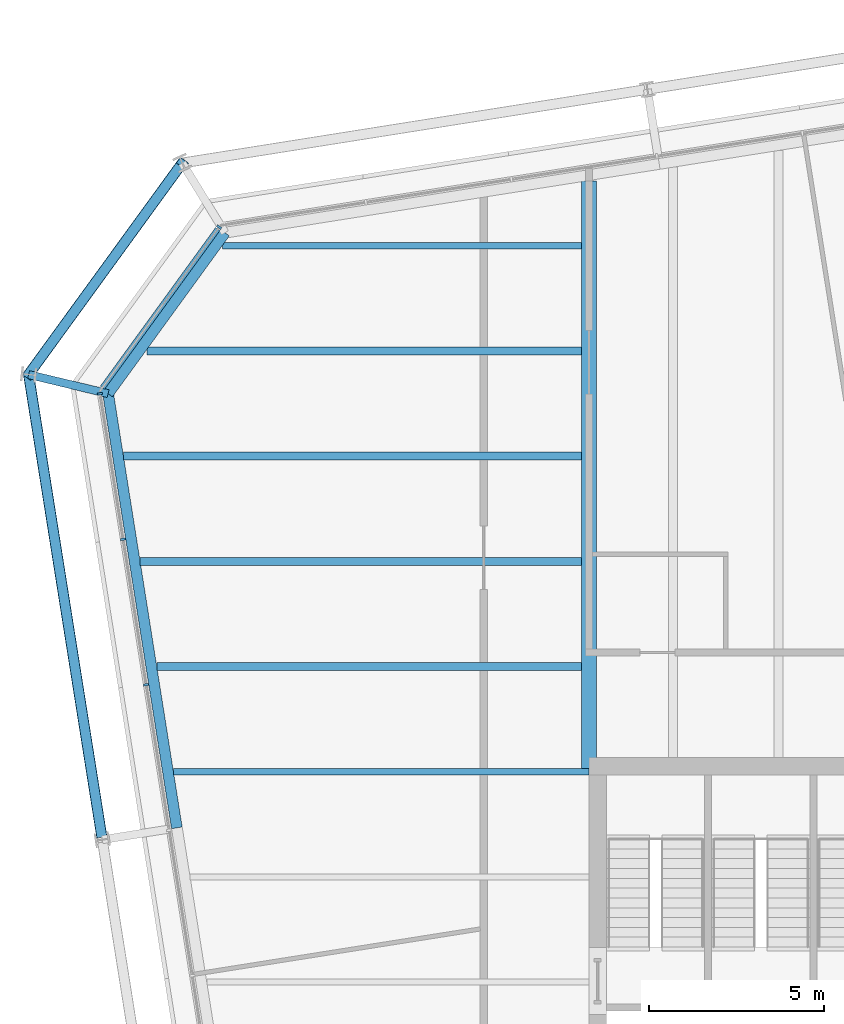
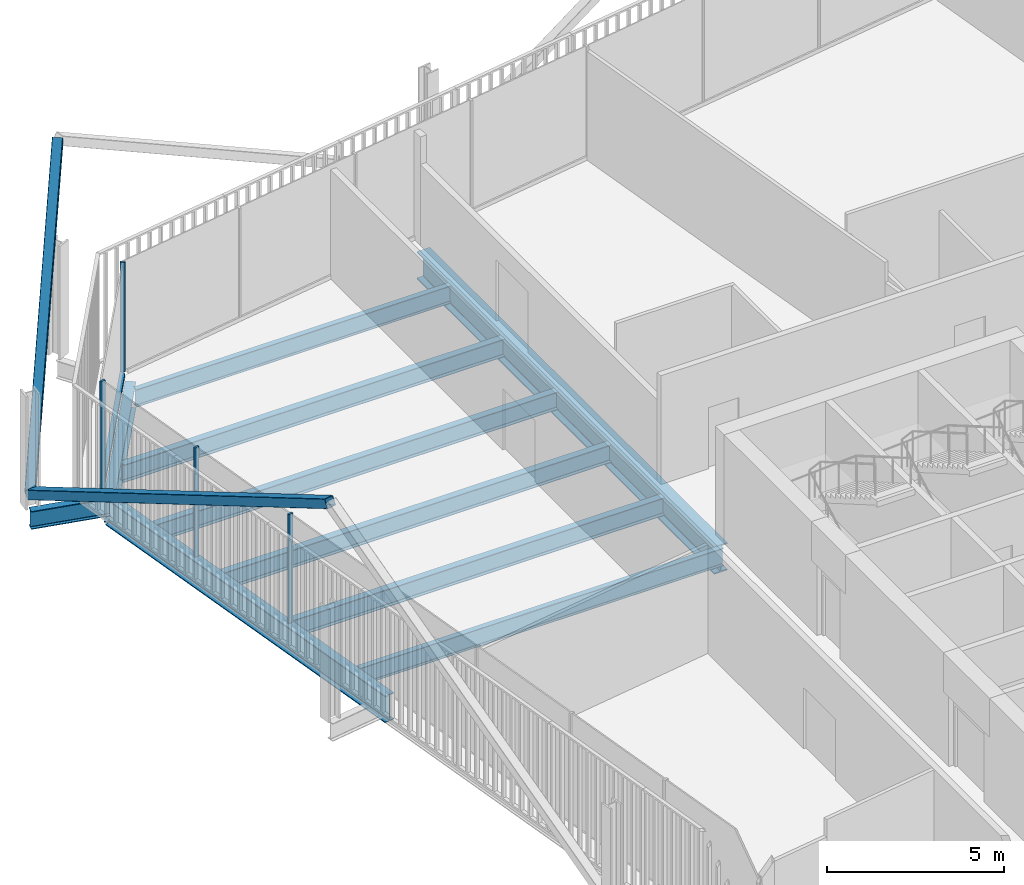
# One storey, part 11 of 21: 10 beams, 7 members, 2 elements without a shape of their own.
"""IFC4 building model written with IfcOpenShell, lengths in metres."""

from ifc_helpers import new_model, si_unit, direction, frame, origin, origin_2d, place, context, subcontext, project, spatial, rectangle, hollow_rectangle, i_section, extrude, material, layer, layer_set, material_profile, profile_set, type_object, element, aggregate, save


model = new_model("IFC4")

# Units and contexts
model_context = context("Model", 3, precision=1e-05, world=origin(), true_north=direction((0.0, 1.0)))
body_context = subcontext(model_context, "Body", "Model", "MODEL_VIEW")
ifc_project = project(units=[si_unit("LENGTHUNIT", "METRE"), si_unit("AREAUNIT", "SQUARE_METRE"), si_unit("VOLUMEUNIT", "CUBIC_METRE"), si_unit("PLANEANGLEUNIT", "RADIAN"), si_unit("MASSUNIT", "GRAM", prefix="KILO")], contexts=[model_context])

# Site, building, storey
site_placement = place(None, origin())
site = spatial("IfcSite", under=ifc_project, at=site_placement, CompositionType="ELEMENT")
building_placement = place(site_placement, origin())
building = spatial("IfcBuilding", under=site, at=building_placement, Name="Millrace Tower", CompositionType="ELEMENT")
storey_placement = place(building_placement, frame((0.0, 0.0, 212.5)))
storey = spatial("IfcBuildingStorey", under=building, at=storey_placement, Name="L48", CompositionType="ELEMENT", Elevation=212.5)

# Curtain wall, member
ifc_material_1 = material(Name="Aluminium and glass", Category="aluminium")
ifc_layer = layer(ifc_material_1, 0.14990234375)
ifc_layer_set = layer_set([ifc_layer], Name="Aluminium and glass")
curtain_wall_type = type_object("IfcCurtainWallType", Name="CW-1 office vision curtain wall", PredefinedType="NOTDEFINED", material=ifc_layer_set)
placement = place(storey_placement, origin())
curtain_wall_1 = element("IfcCurtainWall", 1, at=placement, inside=storey, type_object=curtain_wall_type, Name="Curtain wall D-F07 L48", PredefinedType="NOTDEFINED")
ifc_material_2 = material(Name="Aluminium", Category="aluminium")
ifc_material_profile_1 = material_profile(ifc_material_2, rectangle(XDim=0.06494140625, YDim=0.14990234375, at=origin_2d()))
ifc_profile_set_1 = profile_set([ifc_material_profile_1], Name="Aluminium")
member_type_1 = type_object("IfcMemberType", Name="CW-1 office vision curtain wall mullion", PredefinedType="MULLION", material=ifc_profile_set_1)
member_1_placement = place(storey_placement, frame((-24.945068359375, 24.528076171875, 0.139892578125), z_axis=(0.0, 0.0, 1.0), x_axis=(-0.587785305991, -0.809016955361, 0.0)))
member_1 = element("IfcMember", 2, at=member_1_placement, type_object=member_type_1, Name="CW1 mullion D-F07.1", PredefinedType="MULLION", context=body_context, shape_type="SweptSolid", body=[
    extrude(rectangle(XDim=0.06494140625, YDim=0.14990234375, at=origin_2d()), origin(), (0.0, 0.0, 1.0), 3.760009765625),
])

# Curtain wall, members
curtain_wall_2 = element("IfcCurtainWall", 3, at=placement, inside=storey, type_object=curtain_wall_type, Name="Curtain wall D-F08 L48", PredefinedType="NOTDEFINED")
member_2_placement = place(storey_placement, frame((-28.342529296875, 19.775390625, 0.139892578125), z_axis=(0.0, 0.0, 1.0), x_axis=(0.156434471884, -0.987688339511, 0.0)))
member_2 = element("IfcMember", 4, at=member_2_placement, type_object=member_type_1, Name="CW1 mullion D-F08.1", PredefinedType="MULLION", context=body_context, shape_type="SweptSolid", body=[
    extrude(rectangle(XDim=0.06494140625, YDim=0.14990234375, at=origin_2d()), origin(), (0.0, 0.0, 1.0), 3.760009765625),
])
member_3_placement = place(storey_placement, frame((-27.685302734375, 15.627197265625, 0.139892578125), z_axis=(0.0, 0.0, 1.0), x_axis=(0.156434471884, -0.987688339511, 0.0)))
member_3 = element("IfcMember", 5, at=member_3_placement, type_object=member_type_1, Name="CW1 mullion D-F08.2", PredefinedType="MULLION", context=body_context, shape_type="SweptSolid", body=[
    extrude(rectangle(XDim=0.06494140625, YDim=0.14990234375, at=origin_2d()), origin(), (0.0, 0.0, 1.0), 3.760009765625),
])
member_4_placement = place(storey_placement, frame((-27.0283203125, 11.47900390625, 0.139892578125), z_axis=(0.0, 0.0, 1.0), x_axis=(0.156434471884, -0.987688339511, 0.0)))
member_4 = element("IfcMember", 6, at=member_4_placement, type_object=member_type_1, Name="CW1 mullion D-F08.3", PredefinedType="MULLION", context=body_context, shape_type="SweptSolid", body=[
    extrude(rectangle(XDim=0.06494140625, YDim=0.14990234375, at=origin_2d()), origin(), (0.0, 0.0, 1.0), 3.760009765625),
])
aggregate(curtain_wall_2, [member_2, member_3, member_4])

# Member
ifc_material_3 = material(Name="Aluminium", Category="aluminium")
ifc_material_profile_2 = material_profile(ifc_material_3, rectangle(XDim=0.14990234375, YDim=0.139892578125, at=origin_2d()))
ifc_profile_set_2 = profile_set([ifc_material_profile_2], Name="Aluminium")
member_type_2 = type_object("IfcMemberType", Name="CW-1 office vision curtain wall transom", PredefinedType="USERDEFINED", material=ifc_profile_set_2)
member_5_placement = place(storey_placement, frame((-24.98486328125, 24.473388671875, 0.070068359375), z_axis=(-0.587782670904, -0.809018869857, 0.0), x_axis=(0.809018869857, -0.587782670904, 0.0)))
member_5 = element("IfcMember", 7, at=member_5_placement, type_object=member_type_2, Name="CW1 transom D-F07.1", ObjectType="TRANSOM", PredefinedType="USERDEFINED", context=body_context, shape_type="SweptSolid", body=[
    extrude(rectangle(XDim=0.14990234375, YDim=0.139892578125, at=origin_2d()), origin(), (0.0, 0.0, 1.0), 5.59814453125),
])

aggregate(curtain_wall_1, [member_1, member_5])

# Members
ifc_material_4 = material(Name="Steel ASTM A500 Grade C", Category="steel")
ifc_material_profile_3 = material_profile(ifc_material_4, hollow_rectangle(XDim=0.3046875, YDim=0.3046875, WallThickness=0.0126953125, InnerFilletRadius=0.00634765625, OuterFilletRadius=0.01904296875, at=origin_2d()))
ifc_profile_set_3 = profile_set([ifc_material_profile_3], Name="Steel ASTM A500 Grade C")
member_type_3 = type_object("IfcMemberType", Name="Exoskeleton brace HSS12x12x1/2", PredefinedType="BRACE", material=ifc_profile_set_3)
member_6_placement = place(storey_placement, frame((-30.37841796875, 20.32470703125, 0.39990234375), z_axis=(0.42850795905, 0.589774395252, 0.684504997598), x_axis=(-0.809009310944, 0.587795827483, 0.0)))
element("IfcMember", 8, at=member_6_placement, inside=storey, type_object=member_type_3, Name="BRC-D-L48-13", PredefinedType="BRACE", context=body_context, shape_type="SweptSolid", body=[
    extrude(hollow_rectangle(XDim=0.3046875, YDim=0.3046875, WallThickness=0.0126953125, InnerFilletRadius=0.00634765625, OuterFilletRadius=0.01904296875, at=origin_2d()), origin(), (0.0, 0.0, 1.0), 10.226318359375),
])
member_7_placement = place(storey_placement, frame((-30.37841796875, 20.32470703125, 0.39990234375), z_axis=(0.138712380788, -0.87583551821, 0.462245627841), x_axis=(0.987689444837, 0.156427492975, 0.0)))
element("IfcMember", 9, at=member_7_placement, inside=storey, type_object=member_type_3, Name="BRC-D-L48-14", PredefinedType="BRACE", context=body_context, shape_type="SweptSolid", body=[
    extrude(hollow_rectangle(XDim=0.3046875, YDim=0.3046875, WallThickness=0.0126953125, InnerFilletRadius=0.00634765625, OuterFilletRadius=0.01904296875, at=origin_2d()), origin(), (0.0, 0.0, 1.0), 15.1435546875),
])

# Beams
ifc_material_5 = material(Name="Steel ASTM A992 Grade 50", Category="steel")
ifc_material_profile_4 = material_profile(ifc_material_5, i_section(OverallWidth=0.1787109375, OverallDepth=0.60205078125, WebThickness=0.010986328125, FlangeThickness=0.014892578125, FilletRadius=0.0126953125, at=origin_2d()))
ifc_profile_set_4 = profile_set([ifc_material_profile_4], Name="Steel ASTM A992 Grade 50")
beam_type_1 = type_object("IfcBeamType", Name="Floor beam W24x62", PredefinedType="JOIST", material=ifc_profile_set_4)
beam_1_placement = place(storey_placement, frame((-26.248779296875, 9.0, -0.4609375), z_axis=(1.0, 0.0, 0.0), x_axis=(0.0, 1.0, 0.0)))
element("IfcBeam", 10, at=beam_1_placement, inside=storey, type_object=beam_type_1, Name="BM-D-L48-S1-S023", PredefinedType="JOIST", context=body_context, shape_type="SweptSolid", body=[
    extrude(i_section(OverallWidth=0.1787109375, OverallDepth=0.60205078125, WebThickness=0.010986328125, FlangeThickness=0.014892578125, FilletRadius=0.0126953125, at=origin_2d()), origin(), (0.0, 0.0, 1.0), 11.848876953125),
])
beam_2_placement = place(storey_placement, frame((-24.843994140625, 24.0, -0.4609375), z_axis=(1.0, 0.0, 0.0), x_axis=(0.0, 1.0, 0.0)))
element("IfcBeam", 11, at=beam_2_placement, inside=storey, type_object=beam_type_1, Name="BM-D-L48-S1-S033", PredefinedType="JOIST", context=body_context, shape_type="SweptSolid", body=[
    extrude(i_section(OverallWidth=0.1787109375, OverallDepth=0.60205078125, WebThickness=0.010986328125, FlangeThickness=0.014892578125, FilletRadius=0.0126953125, at=origin_2d()), origin(), (0.0, 0.0, 1.0), 10.234375),
])
ifc_material_6 = material(Name="Steel ASTM A992 Grade 50", Category="steel")
ifc_material_profile_5 = material_profile(ifc_material_6, i_section(OverallWidth=0.228271484375, OverallDepth=0.607177734375, WebThickness=0.01123046875, FlangeThickness=0.017333984375, FilletRadius=0.0126953125, at=origin_2d()))
ifc_profile_set_5 = profile_set([ifc_material_profile_5], Name="Steel ASTM A992 Grade 50")
beam_type_2 = type_object("IfcBeamType", Name="Floor beam W24x76", PredefinedType="JOIST", material=ifc_profile_set_5)
beam_3_placement = place(storey_placement, frame((-26.723876953125, 12.0, -0.463623046875), z_axis=(1.0, 0.0, 0.0), x_axis=(0.0, 1.0, 0.0)))
element("IfcBeam", 12, at=beam_3_placement, inside=storey, type_object=beam_type_2, Name="BM-D-L48-S1-S025", PredefinedType="JOIST", context=body_context, shape_type="SweptSolid", body=[
    extrude(i_section(OverallWidth=0.228271484375, OverallDepth=0.607177734375, WebThickness=0.01123046875, FlangeThickness=0.017333984375, FilletRadius=0.0126953125, at=origin_2d()), origin(), (0.0, 0.0, 1.0), 12.1142578125),
])
beam_4_placement = place(storey_placement, frame((-27.198974609375, 15.0, -0.463623046875), z_axis=(1.0, 0.0, 0.0), x_axis=(0.0, 1.0, 0.0)))
element("IfcBeam", 13, at=beam_4_placement, inside=storey, type_object=beam_type_2, Name="BM-D-L48-S1-S027", PredefinedType="JOIST", context=body_context, shape_type="SweptSolid", body=[
    extrude(i_section(OverallWidth=0.228271484375, OverallDepth=0.607177734375, WebThickness=0.01123046875, FlangeThickness=0.017333984375, FilletRadius=0.0126953125, at=origin_2d()), origin(), (0.0, 0.0, 1.0), 12.58935546875),
])
beam_5_placement = place(storey_placement, frame((-27.674072265625, 18.0, -0.463623046875), z_axis=(1.0, 0.0, 0.0), x_axis=(0.0, 1.0, 0.0)))
element("IfcBeam", 14, at=beam_5_placement, inside=storey, type_object=beam_type_2, Name="BM-D-L48-S1-S029", PredefinedType="JOIST", context=body_context, shape_type="SweptSolid", body=[
    extrude(i_section(OverallWidth=0.228271484375, OverallDepth=0.607177734375, WebThickness=0.01123046875, FlangeThickness=0.017333984375, FilletRadius=0.0126953125, at=origin_2d()), origin(), (0.0, 0.0, 1.0), 13.064453125),
])
beam_6_placement = place(storey_placement, frame((-27.0078125, 21.0, -0.463623046875), z_axis=(1.0, 0.0, 0.0), x_axis=(0.0, 1.0, 0.0)))
element("IfcBeam", 15, at=beam_6_placement, inside=storey, type_object=beam_type_2, Name="BM-D-L48-S1-S031", PredefinedType="JOIST", context=body_context, shape_type="SweptSolid", body=[
    extrude(i_section(OverallWidth=0.228271484375, OverallDepth=0.607177734375, WebThickness=0.01123046875, FlangeThickness=0.017333984375, FilletRadius=0.0126953125, at=origin_2d()), origin(), (0.0, 0.0, 1.0), 12.398193359375),
])
ifc_material_7 = material(Name="Steel ASTM A992 Grade 50", Category="steel")
ifc_material_profile_6 = material_profile(ifc_material_7, i_section(OverallWidth=0.424072265625, OverallDepth=0.947509765625, WebThickness=0.02392578125, FlangeThickness=0.042724609375, FilletRadius=0.024169921875, at=origin_2d()))
ifc_profile_set_6 = profile_set([ifc_material_profile_6], Name="Steel ASTM A992 Grade 50")
beam_type_3 = type_object("IfcBeamType", Name="Girder medium span W36x302", PredefinedType="BEAM", material=ifc_profile_set_6)
beam_7_placement = place(storey_placement, frame((-14.39990234375, 9.092041015625, -0.6337890625), z_axis=(0.0, 1.0, 0.0), x_axis=(-1.0, 0.0, 0.0)))
element("IfcBeam", 16, at=beam_7_placement, inside=storey, type_object=beam_type_3, Name="BM-D-L48-S1-G054", PredefinedType="BEAM", context=body_context, shape_type="SweptSolid", body=[
    extrude(i_section(OverallWidth=0.424072265625, OverallDepth=0.947509765625, WebThickness=0.02392578125, FlangeThickness=0.042724609375, FilletRadius=0.024169921875, at=origin_2d()), origin(), (0.0, 0.0, 1.0), 16.756591796875),
])
ifc_material_8 = material(Name="Steel ASTM A992 Grade 50", Category="steel")
ifc_material_profile_7 = material_profile(ifc_material_8, i_section(OverallWidth=0.23046875, OverallDepth=0.6171875, WebThickness=0.01318359375, FlangeThickness=0.022216796875, FilletRadius=0.012939453125, at=origin_2d()))
ifc_profile_set_7 = profile_set([ifc_material_profile_7], Name="Steel ASTM A992 Grade 50")
beam_type_4 = type_object("IfcBeamType", Name="Link beam W24x94", PredefinedType="BEAM", material=ifc_profile_set_7)
beam_8_placement = place(storey_placement, frame((-28.11181640625, 19.780517578125, -0.468505859375), z_axis=(-0.972367333652, 0.233456138164, 0.0), x_axis=(-0.233456138164, -0.972367333652, 0.0)))
element("IfcBeam", 17, at=beam_8_placement, inside=storey, type_object=beam_type_4, Name="LNK-D-L48-S1-04", PredefinedType="BEAM", context=body_context, shape_type="SweptSolid", body=[
    extrude(i_section(OverallWidth=0.23046875, OverallDepth=0.6171875, WebThickness=0.01318359375, FlangeThickness=0.022216796875, FilletRadius=0.012939453125, at=origin_2d()), origin(), (0.0, 0.0, 1.0), 2.3310546875),
])
ifc_material_9 = material(Name="Steel ASTM A992 Grade 50", Category="steel")
ifc_material_profile_8 = material_profile(ifc_material_9, i_section(OverallWidth=0.307373046875, OverallDepth=0.927001953125, WebThickness=0.01953125, FlangeThickness=0.031982421875, FilletRadius=0.01904296875, at=origin_2d()))
ifc_profile_set_8 = profile_set([ifc_material_profile_8], Name="Steel ASTM A992 Grade 50")
beam_type_5 = type_object("IfcBeamType", Name="Ring beam medium span W36x194", PredefinedType="SPANDREL", material=ifc_profile_set_8)
beam_9_placement = place(storey_placement, frame((-26.150634765625, 7.3984375, -0.62353515625), z_axis=(-0.156438575049, 0.987687689625, 0.0), x_axis=(-0.987687689625, -0.156438575049, 0.0)))
element("IfcBeam", 18, at=beam_9_placement, inside=storey, type_object=beam_type_5, Name="RNG-D-L48-S1-03", PredefinedType="SPANDREL", context=body_context, shape_type="SweptSolid", body=[
    extrude(i_section(OverallWidth=0.307373046875, OverallDepth=0.927001953125, WebThickness=0.01953125, FlangeThickness=0.031982421875, FilletRadius=0.01904296875, at=origin_2d()), origin(), (0.0, 0.0, 1.0), 12.536376953125),
])
ifc_material_10 = material(Name="Steel ASTM A992 Grade 50", Category="steel")
ifc_material_profile_9 = material_profile(ifc_material_10, i_section(OverallWidth=0.307373046875, OverallDepth=0.927001953125, WebThickness=0.01953125, FlangeThickness=0.031982421875, FilletRadius=0.01904296875, at=origin_2d()))
ifc_profile_set_9 = profile_set([ifc_material_profile_9], Name="Steel ASTM A992 Grade 50")
beam_type_6 = type_object("IfcBeamType", Name="Ring beam short span W36x194", PredefinedType="SPANDREL", material=ifc_profile_set_9)
beam_10_placement = place(storey_placement, frame((-28.11181640625, 19.780517578125, -0.62353515625), z_axis=(0.587808154511, 0.809000354444, 0.0), x_axis=(-0.809000354444, 0.587808154511, 0.0)))
element("IfcBeam", 19, at=beam_10_placement, inside=storey, type_object=beam_type_6, Name="RNG-D-L48-S1-04", PredefinedType="SPANDREL", context=body_context, shape_type="SweptSolid", body=[
    extrude(i_section(OverallWidth=0.307373046875, OverallDepth=0.927001953125, WebThickness=0.01953125, FlangeThickness=0.031982421875, FilletRadius=0.01904296875, at=origin_2d()), origin(), (0.0, 0.0, 1.0), 5.671142578125),
])

save(model, "model.ifc")
